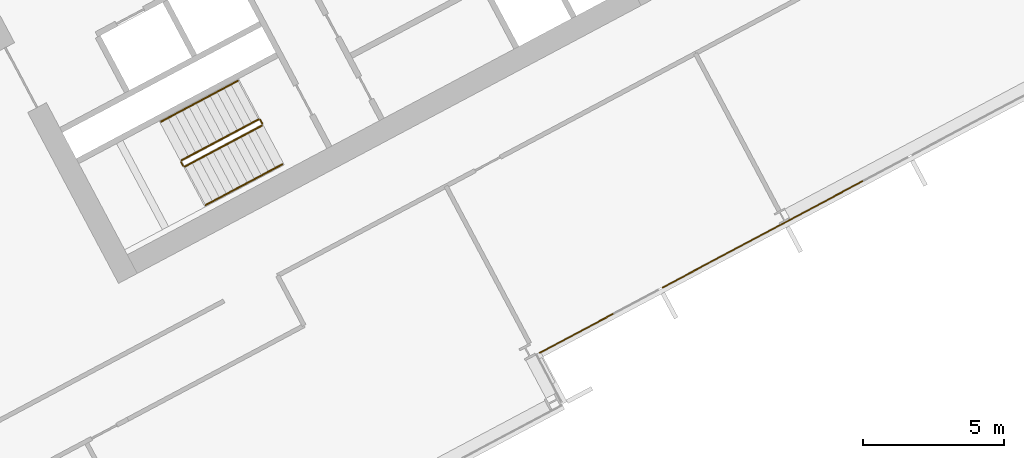
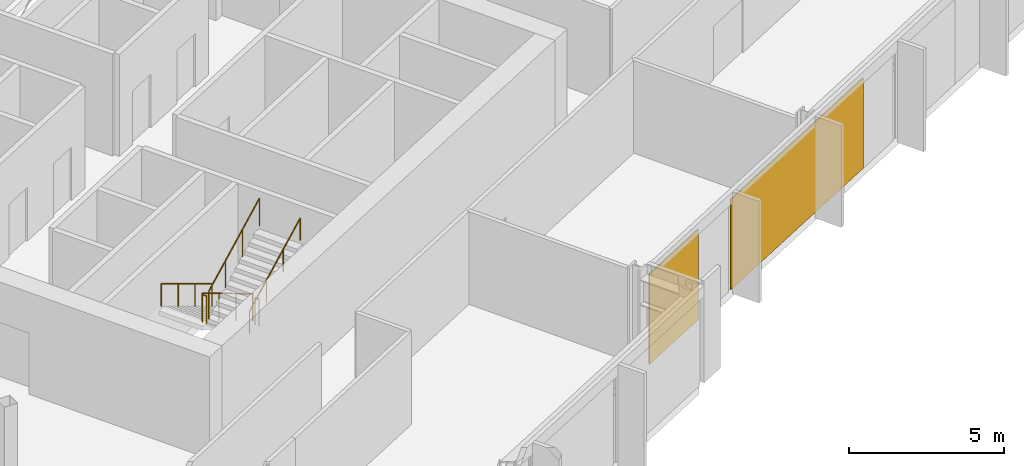
# One storey, part 25 of 28: 6 railings, 2 coverings, 1 element without a shape of its own.
"""IFC4 building model written with IfcOpenShell, lengths in metres."""

from ifc_helpers import new_model, si_unit, direction, frame, origin, origin_2d, place, context, subcontext, project, spatial, polyline, rectangle, outline, extrude, material, layer, layer_set, type_object, element, aggregate, save


model = new_model("IFC4")

# Units and contexts
model_context = context("Model", 3, precision=1e-05, world=origin(), true_north=direction((0.0, 1.0)))
body_context = subcontext(model_context, "Body", "Model", "MODEL_VIEW")
ifc_project = project(units=[si_unit("LENGTHUNIT", "METRE"), si_unit("AREAUNIT", "SQUARE_METRE"), si_unit("VOLUMEUNIT", "CUBIC_METRE"), si_unit("PLANEANGLEUNIT", "RADIAN"), si_unit("MASSUNIT", "GRAM", prefix="KILO")], contexts=[model_context])

# Site, building, storey
site_placement = place(None, origin())
site = spatial("IfcSite", under=ifc_project, at=site_placement, CompositionType="ELEMENT")
building_placement = place(site_placement, origin())
building = spatial("IfcBuilding", under=site, at=building_placement, Name="Cormorant Relay Tower", CompositionType="ELEMENT")
storey_placement = place(building_placement, frame((0.0, 0.0, 138.199951171875)))
storey = spatial("IfcBuildingStorey", under=building, at=storey_placement, Name="L28", CompositionType="ELEMENT", Elevation=138.199951171875)

# Curtain wall, coverings
ifc_material_1 = material(Name="Aluminium 6063-T6 anodised bronze", Category="aluminium")
ifc_layer_1 = layer(ifc_material_1, 0.199951171875)
ifc_layer_set_1 = layer_set([ifc_layer_1], Name="CW1 unitised bronze curtain wall with vertical fins")
curtain_wall_type = type_object("IfcCurtainWallType", Name="CW1 unitised bronze curtain wall with vertical fins", PredefinedType="NOTDEFINED", material=ifc_layer_set_1)
curtain_wall_placement = place(storey_placement, origin())
curtain_wall = element("IfcCurtainWall", 1, at=curtain_wall_placement, inside=storey, type_object=curtain_wall_type, Name="CW1 curtain wall 4", PredefinedType="NOTDEFINED")
ifc_material_2 = material(Name="Pale bronze anodised aluminium insulated panel", Category="aluminium")
ifc_layer_2 = layer(ifc_material_2, 0.0400390625)
ifc_layer_set_2 = layer_set([ifc_layer_2], Name="CW1 pale bronze insulated panel 40")
covering_type = type_object("IfcCoveringType", Name="CW1 pale bronze insulated panel 40", PredefinedType="CLADDING", material=ifc_layer_set_2)
covering_1_placement = place(storey_placement, frame((35.09765625, -2.879638671875, 0.0), z_axis=(0.0, 0.0, 1.0), x_axis=(0.882947592859, 0.469471562786, 0.0)))
covering_1 = element("IfcCovering", 2, at=covering_1_placement, type_object=covering_type, Name="CW1 panel S00", PredefinedType="CLADDING", context=body_context, shape_type="SweptSolid", body=[
    extrude(rectangle(XDim=2.97509765625, YDim=0.0400390625, at=origin_2d()), origin(), (0.0, 0.0, 1.0), 3.550048828125),
])
covering_2_placement = place(storey_placement, frame((41.686767578125, 0.623779296875, 0.0), z_axis=(0.0, 0.0, 1.0), x_axis=(0.882947592859, 0.469471562786, 0.0)))
covering_2 = element("IfcCovering", 3, at=covering_2_placement, type_object=covering_type, Name="CW1 panel S02", PredefinedType="CLADDING", context=body_context, shape_type="SweptSolid", body=[
    extrude(rectangle(XDim=8.050048828125, YDim=0.0400390625, at=origin_2d()), origin(), (0.0, 0.0, 1.0), 3.550048828125),
])
aggregate(curtain_wall, [covering_1, covering_2])

# Railings
ifc_material_3 = material(Name="Steel ASTM A572 Grade 50 (Fy 345 MPa)", Category="steel")
railing_type_1 = type_object("IfcRailingType", Name="Stair guard 1100", PredefinedType="GUARDRAIL", material=ifc_material_3)
railing_1_placement = place(storey_placement, frame((23.83837890625, 4.6904296875, 0.166748046875)))
element("IfcRailing", 4, at=railing_1_placement, inside=storey, type_object=railing_type_1, Name="L28 B1 stair guard 1", PredefinedType="GUARDRAIL", context=body_context, shape_type="SweptSolid", body=[
    extrude(outline(polyline([(0.022216796875, 0.00927734375), (0.00927734375, 0.022216796875), (-0.00927734375, 0.022216796875), (-0.022216796875, 0.00927734375), (-0.022216796875, -0.00927734375), (-0.00927734375, -0.022216796875), (0.00927734375, -0.022216796875), (0.022216796875, -0.00927734375), (0.022216796875, 0.00927734375)])), frame((0.0, 0.0, 1.076171875), z_axis=(-0.758713656843, -0.403434867536, 0.511462505542), x_axis=(0.469489399267, -0.882938108802, 0.0)), (0.0, 0.0, 1.0), 3.584228515625),
    extrude(outline(polyline([(0.019287109375, 0.008056640625), (0.008056640625, 0.019287109375), (-0.008056640625, 0.019287109375), (-0.019287109375, 0.008056640625), (-0.019287109375, -0.008056640625), (-0.008056640625, -0.019287109375), (0.008056640625, -0.019287109375), (0.019287109375, -0.008056640625), (0.019287109375, 0.008056640625)])), origin(), (0.0, 0.0, 1.0), 1.052001953125),
    extrude(outline(polyline([(0.019287109375, 0.008056640625), (0.008056640625, 0.019287109375), (-0.008056640625, 0.019287109375), (-0.019287109375, 0.008056640625), (-0.019287109375, -0.008056640625), (-0.008056640625, -0.019287109375), (0.008056640625, -0.019287109375), (0.019287109375, -0.008056640625), (0.019287109375, 0.008056640625)])), frame((-0.906494140625, -0.48193359375, 0.611083984375)), (0.0, 0.0, 1.0), 1.052001953125),
    extrude(outline(polyline([(0.019287109375, 0.008056640625), (0.008056640625, 0.019287109375), (-0.008056640625, 0.019287109375), (-0.019287109375, 0.008056640625), (-0.019287109375, -0.008056640625), (-0.008056640625, -0.019287109375), (0.008056640625, -0.019287109375), (0.019287109375, -0.008056640625), (0.019287109375, 0.008056640625)])), frame((-1.81298828125, -0.964111328125, 1.22216796875)), (0.0, 0.0, 1.0), 1.052001953125),
    extrude(outline(polyline([(0.019287109375, 0.008056640625), (0.008056640625, 0.019287109375), (-0.008056640625, 0.019287109375), (-0.019287109375, 0.008056640625), (-0.019287109375, -0.008056640625), (-0.008056640625, -0.019287109375), (0.008056640625, -0.019287109375), (0.019287109375, -0.008056640625), (0.019287109375, 0.008056640625)])), frame((-2.719482421875, -1.446044921875, 1.833251953125)), (0.0, 0.0, 1.0), 1.052001953125),
])
railing_2_placement = place(storey_placement, frame((21.09814453125, 3.1767578125, 2.0)))
element("IfcRailing", 5, at=railing_2_placement, inside=storey, type_object=railing_type_1, Name="L28 B1 stair guard 2", PredefinedType="GUARDRAIL", context=body_context, shape_type="SweptSolid", body=[
    extrude(outline(polyline([(0.022216796875, 0.00927734375), (0.00927734375, 0.022216796875), (-0.00927734375, 0.022216796875), (-0.022216796875, 0.00927734375), (-0.022216796875, -0.00927734375), (-0.00927734375, -0.022216796875), (0.00927734375, -0.022216796875), (0.022216796875, -0.00927734375), (0.022216796875, 0.00927734375)])), frame((0.0, 0.0, 1.076171875), z_axis=(0.469234640946, -0.883073525669, 0.0), x_axis=(0.883073525669, 0.469234640946, 0.0)), (0.0, 0.0, 1.0), 0.14990234375),
    extrude(outline(polyline([(0.019287109375, 0.008056640625), (0.008056640625, 0.019287109375), (-0.008056640625, 0.019287109375), (-0.019287109375, 0.008056640625), (-0.019287109375, -0.008056640625), (-0.008056640625, -0.019287109375), (0.008056640625, -0.019287109375), (0.019287109375, -0.008056640625), (0.019287109375, 0.008056640625)])), origin(), (0.0, 0.0, 1.0), 1.052001953125),
    extrude(outline(polyline([(0.019287109375, 0.008056640625), (0.008056640625, 0.019287109375), (-0.008056640625, 0.019287109375), (-0.019287109375, 0.008056640625), (-0.019287109375, -0.008056640625), (-0.008056640625, -0.019287109375), (0.008056640625, -0.019287109375), (0.019287109375, -0.008056640625), (0.019287109375, 0.008056640625)])), frame((0.0703125, -0.13232421875, 0.0)), (0.0, 0.0, 1.0), 1.052001953125),
])
railing_3_placement = place(storey_placement, frame((21.236083984375, 3.023681640625, 2.166748046875)))
element("IfcRailing", 6, at=railing_3_placement, inside=storey, type_object=railing_type_1, Name="L28 B1 stair guard 3", PredefinedType="GUARDRAIL", context=body_context, shape_type="SweptSolid", body=[
    extrude(outline(polyline([(0.022216796875, 0.00927734375), (0.00927734375, 0.022216796875), (-0.00927734375, 0.022216796875), (-0.022216796875, 0.00927734375), (-0.022216796875, -0.00927734375), (-0.00927734375, -0.022216796875), (0.00927734375, -0.022216796875), (0.022216796875, -0.00927734375), (0.022216796875, 0.00927734375)])), frame((0.0, 0.0, 1.076171875), z_axis=(0.758713656843, 0.403434867536, 0.511462505542), x_axis=(-0.469489399267, 0.882938108802, 0.0)), (0.0, 0.0, 1.0), 3.584228515625),
    extrude(outline(polyline([(0.019287109375, 0.008056640625), (0.008056640625, 0.019287109375), (-0.008056640625, 0.019287109375), (-0.019287109375, 0.008056640625), (-0.019287109375, -0.008056640625), (-0.008056640625, -0.019287109375), (0.008056640625, -0.019287109375), (0.019287109375, -0.008056640625), (0.019287109375, 0.008056640625)])), origin(), (0.0, 0.0, 1.0), 1.052001953125),
    extrude(outline(polyline([(0.019287109375, 0.008056640625), (0.008056640625, 0.019287109375), (-0.008056640625, 0.019287109375), (-0.019287109375, 0.008056640625), (-0.019287109375, -0.008056640625), (-0.008056640625, -0.019287109375), (0.008056640625, -0.019287109375), (0.019287109375, -0.008056640625), (0.019287109375, 0.008056640625)])), frame((0.906494140625, 0.48193359375, 0.611083984375)), (0.0, 0.0, 1.0), 1.052001953125),
    extrude(outline(polyline([(0.019287109375, 0.008056640625), (0.008056640625, 0.019287109375), (-0.008056640625, 0.019287109375), (-0.019287109375, 0.008056640625), (-0.019287109375, -0.008056640625), (-0.008056640625, -0.019287109375), (0.008056640625, -0.019287109375), (0.019287109375, -0.008056640625), (0.019287109375, 0.008056640625)])), frame((1.81298828125, 0.964111328125, 1.22216796875)), (0.0, 0.0, 1.0), 1.052001953125),
    extrude(outline(polyline([(0.019287109375, 0.008056640625), (0.008056640625, 0.019287109375), (-0.008056640625, 0.019287109375), (-0.019287109375, 0.008056640625), (-0.019287109375, -0.008056640625), (-0.008056640625, -0.019287109375), (0.008056640625, -0.019287109375), (0.019287109375, -0.008056640625), (0.019287109375, 0.008056640625)])), frame((2.719482421875, 1.446044921875, 1.833251953125)), (0.0, 0.0, 1.0), 1.052001953125),
])
railing_4_placement = place(storey_placement, frame((23.906005859375, 4.669677734375, 0.0)))
element("IfcRailing", 7, at=railing_4_placement, inside=storey, type_object=railing_type_1, Name="L28 B1 stair guard 4", PredefinedType="GUARDRAIL", context=body_context, shape_type="SweptSolid", body=[
    extrude(outline(polyline([(0.022216796875, 0.00927734375), (0.00927734375, 0.022216796875), (-0.00927734375, 0.022216796875), (-0.022216796875, 0.00927734375), (-0.022216796875, -0.00927734375), (-0.00927734375, -0.022216796875), (0.00927734375, -0.022216796875), (0.022216796875, -0.00927734375), (0.022216796875, 0.00927734375)])), frame((0.0, 0.0, 1.076171875), z_axis=(0.469234640946, -0.883073525669, 0.0), x_axis=(0.883073525669, 0.469234640946, 0.0)), (0.0, 0.0, 1.0), 0.14990234375),
    extrude(outline(polyline([(0.019287109375, 0.008056640625), (0.008056640625, 0.019287109375), (-0.008056640625, 0.019287109375), (-0.019287109375, 0.008056640625), (-0.019287109375, -0.008056640625), (-0.008056640625, -0.019287109375), (0.008056640625, -0.019287109375), (0.019287109375, -0.008056640625), (0.019287109375, 0.008056640625)])), origin(), (0.0, 0.0, 1.0), 1.052001953125),
    extrude(outline(polyline([(0.019287109375, 0.008056640625), (0.008056640625, 0.019287109375), (-0.008056640625, 0.019287109375), (-0.019287109375, 0.008056640625), (-0.019287109375, -0.008056640625), (-0.008056640625, -0.019287109375), (0.008056640625, -0.019287109375), (0.019287109375, -0.008056640625), (0.019287109375, 0.008056640625)])), frame((0.0703125, -0.13232421875, 0.0)), (0.0, 0.0, 1.0), 1.052001953125),
])
ifc_material_4 = material(Name="Steel ASTM A572 Grade 50 (Fy 345 MPa)", Category="steel")
railing_type_2 = type_object("IfcRailingType", Name="Stair handrail 900", PredefinedType="HANDRAIL", material=ifc_material_4)
railing_5_placement = place(storey_placement, frame((23.110595703125, 6.05908203125, 0.166748046875)))
element("IfcRailing", 8, at=railing_5_placement, inside=storey, type_object=railing_type_2, Name="L28 B1 stair handrail 1", PredefinedType="HANDRAIL", context=body_context, shape_type="SweptSolid", body=[
    extrude(outline(polyline([(0.022216796875, 0.00927734375), (0.00927734375, 0.022216796875), (-0.00927734375, 0.022216796875), (-0.022216796875, 0.00927734375), (-0.022216796875, -0.00927734375), (-0.00927734375, -0.022216796875), (0.00927734375, -0.022216796875), (0.022216796875, -0.00927734375), (0.022216796875, 0.00927734375)])), frame((0.0, 0.0, 0.8759765625), z_axis=(-0.758713656843, -0.403434867536, 0.511462505542), x_axis=(0.469489399267, -0.882938108802, 0.0)), (0.0, 0.0, 1.0), 3.584228515625),
    extrude(outline(polyline([(0.019287109375, 0.008056640625), (0.008056640625, 0.019287109375), (-0.008056640625, 0.019287109375), (-0.019287109375, 0.008056640625), (-0.019287109375, -0.008056640625), (-0.008056640625, -0.019287109375), (0.008056640625, -0.019287109375), (0.019287109375, -0.008056640625), (0.019287109375, 0.008056640625)])), origin(), (0.0, 0.0, 1.0), 0.851806640625),
    extrude(outline(polyline([(0.019287109375, 0.008056640625), (0.008056640625, 0.019287109375), (-0.008056640625, 0.019287109375), (-0.019287109375, 0.008056640625), (-0.019287109375, -0.008056640625), (-0.008056640625, -0.019287109375), (0.008056640625, -0.019287109375), (0.019287109375, -0.008056640625), (0.019287109375, 0.008056640625)])), frame((-0.906494140625, -0.48193359375, 0.611083984375)), (0.0, 0.0, 1.0), 0.851806640625),
    extrude(outline(polyline([(0.019287109375, 0.008056640625), (0.008056640625, 0.019287109375), (-0.008056640625, 0.019287109375), (-0.019287109375, 0.008056640625), (-0.019287109375, -0.008056640625), (-0.008056640625, -0.019287109375), (0.008056640625, -0.019287109375), (0.019287109375, -0.008056640625), (0.019287109375, 0.008056640625)])), frame((-1.81298828125, -0.964111328125, 1.22216796875)), (0.0, 0.0, 1.0), 0.851806640625),
    extrude(outline(polyline([(0.019287109375, 0.008056640625), (0.008056640625, 0.019287109375), (-0.008056640625, 0.019287109375), (-0.019287109375, 0.008056640625), (-0.019287109375, -0.008056640625), (-0.008056640625, -0.019287109375), (0.008056640625, -0.019287109375), (0.019287109375, -0.008056640625), (0.019287109375, 0.008056640625)])), frame((-2.719482421875, -1.446044921875, 1.833251953125)), (0.0, 0.0, 1.0), 0.851806640625),
])
railing_6_placement = place(storey_placement, frame((21.9638671875, 1.6552734375, 2.166748046875)))
element("IfcRailing", 9, at=railing_6_placement, inside=storey, type_object=railing_type_2, Name="L28 B1 stair handrail 2", PredefinedType="HANDRAIL", context=body_context, shape_type="SweptSolid", body=[
    extrude(outline(polyline([(0.022216796875, 0.00927734375), (0.00927734375, 0.022216796875), (-0.00927734375, 0.022216796875), (-0.022216796875, 0.00927734375), (-0.022216796875, -0.00927734375), (-0.00927734375, -0.022216796875), (0.00927734375, -0.022216796875), (0.022216796875, -0.00927734375), (0.022216796875, 0.00927734375)])), frame((0.0, 0.0, 0.8759765625), z_axis=(0.758734504837, 0.403377838015, 0.511476559549), x_axis=(-0.469427602063, 0.882970965786, 0.0)), (0.0, 0.0, 1.0), 3.584228515625),
    extrude(outline(polyline([(0.019287109375, 0.008056640625), (0.008056640625, 0.019287109375), (-0.008056640625, 0.019287109375), (-0.019287109375, 0.008056640625), (-0.019287109375, -0.008056640625), (-0.008056640625, -0.019287109375), (0.008056640625, -0.019287109375), (0.019287109375, -0.008056640625), (0.019287109375, 0.008056640625)])), origin(), (0.0, 0.0, 1.0), 0.851806640625),
    extrude(outline(polyline([(0.019287109375, 0.008056640625), (0.008056640625, 0.019287109375), (-0.008056640625, 0.019287109375), (-0.019287109375, 0.008056640625), (-0.019287109375, -0.008056640625), (-0.008056640625, -0.019287109375), (0.008056640625, -0.019287109375), (0.019287109375, -0.008056640625), (0.019287109375, 0.008056640625)])), frame((0.906494140625, 0.48193359375, 0.611083984375)), (0.0, 0.0, 1.0), 0.851806640625),
    extrude(outline(polyline([(0.019287109375, 0.008056640625), (0.008056640625, 0.019287109375), (-0.008056640625, 0.019287109375), (-0.019287109375, 0.008056640625), (-0.019287109375, -0.008056640625), (-0.008056640625, -0.019287109375), (0.008056640625, -0.019287109375), (0.019287109375, -0.008056640625), (0.019287109375, 0.008056640625)])), frame((1.81298828125, 0.9638671875, 1.22216796875)), (0.0, 0.0, 1.0), 0.851806640625),
    extrude(outline(polyline([(0.019287109375, 0.008056640625), (0.008056640625, 0.019287109375), (-0.008056640625, 0.019287109375), (-0.019287109375, 0.008056640625), (-0.019287109375, -0.008056640625), (-0.008056640625, -0.019287109375), (0.008056640625, -0.019287109375), (0.019287109375, -0.008056640625), (0.019287109375, 0.008056640625)])), frame((2.719482421875, 1.44580078125, 1.833251953125)), (0.0, 0.0, 1.0), 0.851806640625),
])

save(model, "model.ifc")
